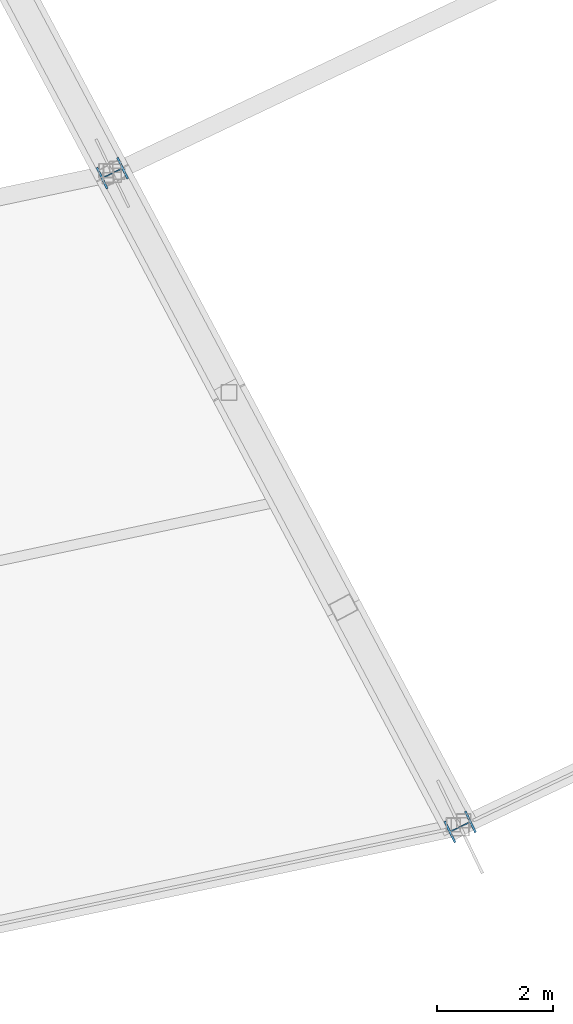
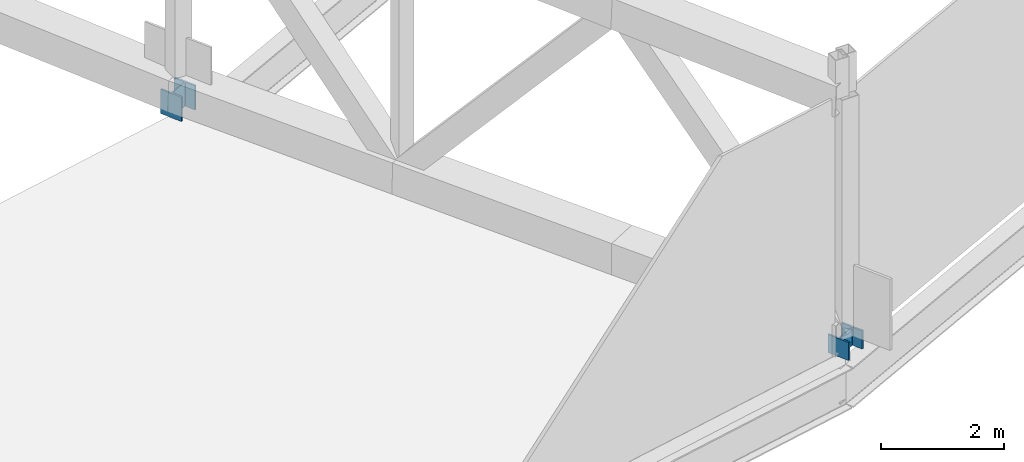
# One storey, part 9 of 162: 2 columns.
"""IFC4 building model written with IfcOpenShell, lengths in metres."""

from ifc_helpers import new_model, si_unit, direction, frame, origin, origin_2d, place, context, subcontext, project, spatial, i_section, extrude, material, material_profile, profile_set, type_object, element, save


model = new_model("IFC4")

# Units and contexts
model_context = context("Model", 3, precision=1e-05, world=origin(), true_north=direction((0.0, 1.0)))
body_context = subcontext(model_context, "Body", "Model", "MODEL_VIEW")
ifc_project = project(units=[si_unit("LENGTHUNIT", "METRE"), si_unit("AREAUNIT", "SQUARE_METRE"), si_unit("VOLUMEUNIT", "CUBIC_METRE"), si_unit("PLANEANGLEUNIT", "RADIAN"), si_unit("MASSUNIT", "GRAM", prefix="KILO")], contexts=[model_context])

# Site, building, storey
site_placement = place(None, origin())
site = spatial("IfcSite", under=ifc_project, at=site_placement, CompositionType="ELEMENT")
building_placement = place(site_placement, origin())
building = spatial("IfcBuilding", under=site, at=building_placement, Name="Kazemori Nagisa Stadium", CompositionType="ELEMENT")
storey_placement = place(building_placement, frame((0.0, 0.0, 36.719970703125)))
storey = spatial("IfcBuildingStorey", under=building, at=storey_placement, Name="RF", CompositionType="ELEMENT", Elevation=36.719970703125)

# Columns
ifc_material = material(Name="Steel SN490B", Category="steel")
ifc_material_profile = material_profile(ifc_material, i_section(OverallWidth=0.406982421875, OverallDepth=0.427978515625, WebThickness=0.02001953125, FlangeThickness=0.034912109375, FilletRadius=0.012939453125, at=origin_2d()), Name="H-428x407x20x35")
ifc_profile_set = profile_set([ifc_material_profile], Name="Steel SN490B")
column_type = type_object("IfcColumnType", Name="Column_C-H428", PredefinedType="COLUMN", material=ifc_profile_set)
column_1_placement = place(storey_placement, frame((165.8046875, 21.53564453125, 0.0), z_axis=(0.0, 0.0, 1.0), x_axis=(0.433883739113, -0.900968867905, 0.0)))
element("IfcColumn", 1, at=column_1_placement, inside=storey, type_object=column_type, Name="Roof truss bearing pedestal R3-24", PredefinedType="COLUMN", context=body_context, shape_type="SweptSolid", body=[
    extrude(i_section(OverallWidth=0.406982421875, OverallDepth=0.427978515625, WebThickness=0.02001953125, FlangeThickness=0.034912109375, FilletRadius=0.012939453125, at=origin_2d()), origin(), (0.0, 0.0, 1.0), 0.360107421875),
])
column_2_placement = place(storey_placement, frame((159.81201171875, 32.80078125, 0.0), z_axis=(0.0, 0.0, 1.0), x_axis=(0.433883739113, -0.900968867905, 0.0)))
element("IfcColumn", 2, at=column_2_placement, inside=storey, type_object=column_type, Name="Roof truss bearing pedestal R2-24", PredefinedType="COLUMN", context=body_context, shape_type="SweptSolid", body=[
    extrude(i_section(OverallWidth=0.406982421875, OverallDepth=0.427978515625, WebThickness=0.02001953125, FlangeThickness=0.034912109375, FilletRadius=0.012939453125, at=origin_2d()), origin(), (0.0, 0.0, 1.0), 0.47998046875),
])

save(model, "model.ifc")
